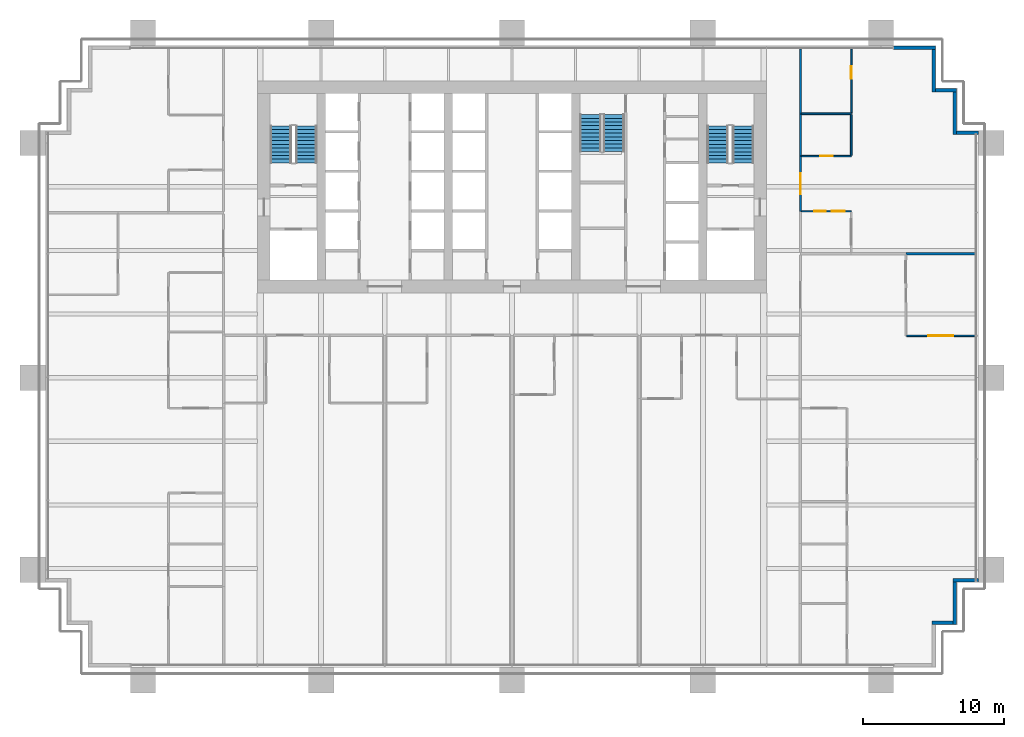
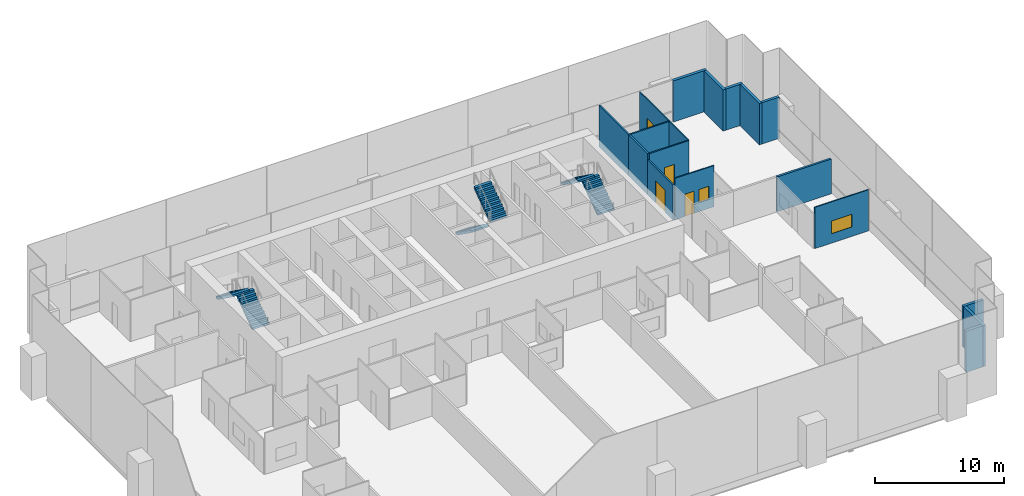
# One storey, part 15 of 18: 18 walls, 6 stair flights, 4 doors, 2 windows, 6 openings, 3 elements without a shape of their own.
"""IFC4 building model written with IfcOpenShell, lengths in metres."""

from ifc_helpers import new_model, si_unit, direction, frame, frame_2d, origin, place, context, subcontext, project, spatial, polyline, rectangle, outline, extrude, material, layer, layer_set, type_object, element, fill, aggregate, save


model = new_model("IFC4")

# Units and contexts
model_context = context("Model", 3, precision=1e-05, world=origin(), true_north=direction((0.0, 1.0)))
body_context = subcontext(model_context, "Body", "Model", "MODEL_VIEW")
ifc_project = project(units=[si_unit("LENGTHUNIT", "METRE"), si_unit("AREAUNIT", "SQUARE_METRE"), si_unit("VOLUMEUNIT", "CUBIC_METRE"), si_unit("PLANEANGLEUNIT", "RADIAN"), si_unit("MASSUNIT", "GRAM", prefix="KILO")], contexts=[model_context])

# Site, building, storey
site_placement = place(None, origin())
site = spatial("IfcSite", under=ifc_project, at=site_placement, CompositionType="ELEMENT")
building_placement = place(site_placement, origin())
building = spatial("IfcBuilding", under=site, at=building_placement, Name="Rattan Terrace Tower", CompositionType="ELEMENT")
storey_placement = place(building_placement, frame((0.0, 0.0, 32.39990234375)))
storey = spatial("IfcBuildingStorey", under=building, at=storey_placement, Name="L06", CompositionType="ELEMENT", Elevation=32.39990234375)

# Walls
ifc_material_1 = material(Name="Insulated aluminium-clad stud wall", Category="aluminium")
ifc_layer_1 = layer(ifc_material_1, 0.25)
ifc_layer_set_1 = layer_set([ifc_layer_1], Name="Facade Riser Wall 250")
wall_type_1 = type_object("IfcWallType", Name="Facade Riser Wall 250", PredefinedType="SOLIDWALL", material=ifc_layer_set_1)
wall_1_placement = place(storey_placement, frame((29.705078125, -30.830078125, 0.0), z_axis=(0.0, 0.0, 1.0), x_axis=(1.0, 0.0, 0.0)))
element("IfcWall", 1, at=wall_1_placement, inside=storey, type_object=wall_type_1, Name="Riser wall L06-3", PredefinedType="SOLIDWALL", context=body_context, shape_type="SweptSolid", body=[
    extrude(rectangle(XDim=1.5, YDim=0.25, at=frame_2d((0.75, 0.0))), origin(), (0.0, 0.0, 1.0), 3.900146484375),
])
wall_2_placement = place(storey_placement, frame((31.330078125, -30.955078125, 0.0), z_axis=(0.0, 0.0, 1.0), x_axis=(0.0, 1.0, 0.0)))
element("IfcWall", 2, at=wall_2_placement, inside=storey, type_object=wall_type_1, Name="Riser wall L06-4", PredefinedType="SOLIDWALL", context=body_context, shape_type="SweptSolid", body=[
    extrude(rectangle(XDim=3.0, YDim=0.25, at=frame_2d((1.5, 0.0))), origin(), (0.0, 0.0, 1.0), 3.900146484375),
])
wall_3_placement = place(storey_placement, frame((31.205078125, -27.830078125, 0.0), z_axis=(0.0, 0.0, 1.0), x_axis=(1.0, 0.0, 0.0)))
element("IfcWall", 3, at=wall_3_placement, inside=storey, type_object=wall_type_1, Name="Riser wall L06-5", PredefinedType="SOLIDWALL", context=body_context, shape_type="SweptSolid", body=[
    extrude(rectangle(XDim=1.7998046875, YDim=0.25, at=frame_2d((0.89990234375, 0.0))), origin(), (0.0, 0.0, 1.0), 3.900146484375),
])
wall_4_placement = place(storey_placement, frame((33.0048828125, 3.830078125, 0.0), z_axis=(0.0, 0.0, 1.0), x_axis=(-1.0, 0.0, 0.0)))
element("IfcWall", 4, at=wall_4_placement, inside=storey, type_object=wall_type_1, Name="Riser wall L06-6", PredefinedType="SOLIDWALL", context=body_context, shape_type="SweptSolid", body=[
    extrude(rectangle(XDim=1.5498046875, YDim=0.25, at=frame_2d((0.77490234375, 0.0))), origin(), (0.0, 0.0, 1.0), 3.900146484375),
])
wall_5_placement = place(storey_placement, frame((31.330078125, 3.705078125, 0.0), z_axis=(0.0, 0.0, 1.0), x_axis=(0.0, 1.0, 0.0)))
element("IfcWall", 5, at=wall_5_placement, inside=storey, type_object=wall_type_1, Name="Riser wall L06-7", PredefinedType="SOLIDWALL", context=body_context, shape_type="SweptSolid", body=[
    extrude(rectangle(XDim=3.0, YDim=0.25, at=frame_2d((1.5, 0.0))), origin(), (0.0, 0.0, 1.0), 3.900146484375),
])
wall_6_placement = place(storey_placement, frame((31.455078125, 6.830078125, 0.0), z_axis=(0.0, 0.0, 1.0), x_axis=(-1.0, 0.0, 0.0)))
element("IfcWall", 6, at=wall_6_placement, inside=storey, type_object=wall_type_1, Name="Riser wall L06-8", PredefinedType="SOLIDWALL", context=body_context, shape_type="SweptSolid", body=[
    extrude(rectangle(XDim=1.5, YDim=0.25, at=frame_2d((0.75, 0.0))), origin(), (0.0, 0.0, 1.0), 3.900146484375),
])
wall_7_placement = place(storey_placement, frame((29.830078125, 6.705078125, 0.0), z_axis=(0.0, 0.0, 1.0), x_axis=(0.0, 1.0, 0.0)))
element("IfcWall", 7, at=wall_7_placement, inside=storey, type_object=wall_type_1, Name="Riser wall L06-9", PredefinedType="SOLIDWALL", context=body_context, shape_type="SweptSolid", body=[
    extrude(rectangle(XDim=3.0, YDim=0.25, at=frame_2d((1.5, 0.0))), origin(), (0.0, 0.0, 1.0), 3.900146484375),
])
wall_8_placement = place(storey_placement, frame((29.955078125, 9.830078125, 0.0), z_axis=(0.0, 0.0, 1.0), x_axis=(-1.0, 0.0, 0.0)))
element("IfcWall", 8, at=wall_8_placement, inside=storey, type_object=wall_type_1, Name="Riser wall L06-10", PredefinedType="SOLIDWALL", context=body_context, shape_type="SweptSolid", body=[
    extrude(rectangle(XDim=2.955078125, YDim=0.25, at=frame_2d((1.4775390625, 0.0))), origin(), (0.0, 0.0, 1.0), 3.900146484375),
])
ifc_material_2 = material(Name="Double steel stud acoustic partition, gypsum board, mineral wool, fire rated", Category="steel")
ifc_layer_2 = layer(ifc_material_2, 0.179931640625)
ifc_layer_set_2 = layer_set([ifc_layer_2], Name="Floors Acoustic Party Wall 180")
wall_type_2 = type_object("IfcWallType", Name="Floors Acoustic Party Wall 180", PredefinedType="PARTITIONING", material=ifc_layer_set_2)
wall_9_placement = place(storey_placement, frame((27.860107421875, -4.72705078125, 0.0), z_axis=(0.0, 0.0, 1.0), x_axis=(1.0, 0.0, 0.0)))
element("IfcWall", 9, at=wall_9_placement, inside=storey, type_object=wall_type_2, Name="pt-L06-081", PredefinedType="PARTITIONING", context=body_context, shape_type="SweptSolid", body=[
    extrude(rectangle(XDim=4.8798828125, YDim=0.179931640625, at=frame_2d((2.43994140625, 0.0))), origin(), (0.0, 0.0, 1.0), 3.300048828125),
])

# Wall, opening, window
ifc_material_3 = material(Name="Gypsum board partition on steel studs", Category="steel")
ifc_layer_3 = layer(ifc_material_3, 0.10009765625)
ifc_layer_set_3 = layer_set([ifc_layer_3], Name="Floors Partition 100")
wall_type_3 = type_object("IfcWallType", Name="Floors Partition 100", PredefinedType="PARTITIONING", material=ifc_layer_set_3)
wall_10_placement = place(storey_placement, frame((27.909912109375, -10.544921875, 0.0), z_axis=(0.0, 0.0, 1.0), x_axis=(1.0, 0.0, 0.0)))
wall_10 = element("IfcWall", 10, at=wall_10_placement, inside=storey, type_object=wall_type_3, Name="pt-L06-073", PredefinedType="PARTITIONING", context=body_context, shape_type="SweptSolid", body=[
    extrude(rectangle(XDim=4.830078125, YDim=0.10009765625, at=frame_2d((2.4150390625, 0.0))), origin(), (0.0, 0.0, 1.0), 3.900146484375),
])
opening_1_placement = place(wall_10_placement, frame((1.514892578125, 0.0, 0.89990234375)))
opening_1 = element("IfcOpeningElement", 11, at=opening_1_placement, cuts=wall_10, Name="Opening L06-W107", PredefinedType="OPENING", context=body_context, shape_type="SweptSolid", body=[
    extrude(rectangle(XDim=1.800048828125, YDim=1.199951171875, at=frame_2d((0.89990234375, 0.60009765625))), frame((0.0, 0.060546875, 0.0), z_axis=(0.0, -1.0, 0.0), x_axis=(1.0, 0.0, 0.0)), (0.0, 0.0, 1.0), 0.12109375),
])
ifc_material_4 = material(Name="Glass, clear, fixed in aluminium frame", Category="aluminium")
window_type_1 = type_object("IfcWindowType", Name="Interior Vision Window 1800x1200", PartitioningType="SINGLE_PANEL", PredefinedType="WINDOW", material=ifc_material_4)
window_1_placement = place(opening_1_placement, origin())
window_1 = element("IfcWindow", 12, at=window_1_placement, inside=storey, type_object=window_type_1, Name="w-L06-107", OverallHeight=1.199951171875, OverallWidth=1.800048828125, PartitioningType="SINGLE_PANEL", PredefinedType="WINDOW", context=body_context, shape_type="SweptSolid", body=[
    extrude(rectangle(XDim=1.800048828125, YDim=1.199951171875, at=frame_2d((0.89990234375, 0.60009765625))), frame((0.0, 0.030029296875, 0.0), z_axis=(0.0, -1.0, 0.0), x_axis=(1.0, 0.0, 0.0)), (0.0, 0.0, 1.0), 0.06005859375),
])
fill(opening_1, window_1)

# Wall, openings, door, window
wall_11_placement = place(storey_placement, frame((24.0, -1.72705078125, 0.0), z_axis=(0.0, 0.0, 1.0), x_axis=(-1.0, 0.0, 0.0)))
wall_11 = element("IfcWall", 13, at=wall_11_placement, inside=storey, type_object=wall_type_3, Name="pt-L06-085", PredefinedType="PARTITIONING", context=body_context, shape_type="SweptSolid", body=[
    extrude(rectangle(XDim=3.52490234375, YDim=0.10009765625, at=frame_2d((1.762451171875, 0.0))), origin(), (0.0, 0.0, 1.0), 3.900146484375),
])
opening_2_placement = place(wall_11_placement, frame((1.806884765625, 0.0, 0.0)))
opening_2 = element("IfcOpeningElement", 14, at=opening_2_placement, cuts=wall_11, Name="Opening L06-D127", PredefinedType="OPENING", context=body_context, shape_type="SweptSolid", body=[
    extrude(rectangle(XDim=0.800048828125, YDim=2.10009765625, at=frame_2d((0.39990234375, 1.050048828125))), frame((0.0, 0.060546875, 0.0), z_axis=(0.0, -1.0, 0.0), x_axis=(1.0, 0.0, 0.0)), (0.0, 0.0, 1.0), 0.12109375),
])
opening_3_placement = place(wall_11_placement, frame((0.47900390625, 0.0, 0.89990234375)))
opening_3 = element("IfcOpeningElement", 15, at=opening_3_placement, cuts=wall_11, Name="Opening L06-W110", PredefinedType="OPENING", context=body_context, shape_type="SweptSolid", body=[
    extrude(rectangle(XDim=0.89990234375, YDim=1.199951171875, at=frame_2d((0.449951171875, 0.60009765625))), frame((0.0, 0.060546875, 0.0), z_axis=(0.0, -1.0, 0.0), x_axis=(1.0, 0.0, 0.0)), (0.0, 0.0, 1.0), 0.12109375),
])
ifc_material_5 = material(Name="Solid core timber door, painted", Category="wood")
door_type_1 = type_object("IfcDoorType", Name="Floors Store Door 800x2100", OperationType="NOTDEFINED", PredefinedType="DOOR", material=ifc_material_5)
door_1_placement = place(opening_2_placement, origin())
door_1 = element("IfcDoor", 16, at=door_1_placement, inside=storey, type_object=door_type_1, Name="d-L06-127", OperationType="SINGLE_SWING_RIGHT", OverallHeight=2.10009765625, OverallWidth=0.800048828125, PredefinedType="DOOR", context=body_context, shape_type="SweptSolid", body=[
    extrude(rectangle(XDim=0.800048828125, YDim=2.10009765625, at=frame_2d((0.39990234375, 1.050048828125))), frame((0.0, 0.02490234375, 0.0), z_axis=(0.0, -1.0, 0.0), x_axis=(1.0, 0.0, 0.0)), (0.0, 0.0, 1.0), 0.050048828125),
])
fill(opening_2, door_1)
ifc_material_6 = material(Name="Glass, clear, fixed in aluminium frame", Category="aluminium")
window_type_2 = type_object("IfcWindowType", Name="Interior Vision Window 900x1200", PartitioningType="SINGLE_PANEL", PredefinedType="WINDOW", material=ifc_material_6)
window_2_placement = place(opening_3_placement, origin())
window_2 = element("IfcWindow", 17, at=window_2_placement, inside=storey, type_object=window_type_2, Name="w-L06-110", OverallHeight=1.199951171875, OverallWidth=0.89990234375, PartitioningType="SINGLE_PANEL", PredefinedType="WINDOW", context=body_context, shape_type="SweptSolid", body=[
    extrude(rectangle(XDim=0.89990234375, YDim=1.199951171875, at=frame_2d((0.449951171875, 0.60009765625))), frame((0.0, 0.030029296875, 0.0), z_axis=(0.0, -1.0, 0.0), x_axis=(1.0, 0.0, 0.0)), (0.0, 0.0, 1.0), 0.06005859375),
])
fill(opening_3, window_2)

# Wall, opening, door
wall_12_placement = place(storey_placement, frame((24.0, 5.193115234375, 0.0), z_axis=(0.0, 0.0, 1.0), x_axis=(0.0, 1.0, 0.0)))
wall_12 = element("IfcWall", 18, at=wall_12_placement, inside=storey, type_object=wall_type_3, Name="pt-L06-089", PredefinedType="PARTITIONING", context=body_context, shape_type="SweptSolid", body=[
    extrude(rectangle(XDim=4.546875, YDim=0.10009765625, at=frame_2d((2.2734375, 0.0))), origin(), (0.0, 0.0, 1.0), 3.900146484375),
])
opening_4_placement = place(wall_12_placement, frame((2.452880859375, 0.0, 0.0)))
opening_4 = element("IfcOpeningElement", 19, at=opening_4_placement, cuts=wall_12, Name="Opening L06-D129", PredefinedType="OPENING", context=body_context, shape_type="SweptSolid", body=[
    extrude(rectangle(XDim=0.89990234375, YDim=2.10009765625, at=frame_2d((0.449951171875, 1.050048828125))), frame((0.0, 0.060546875, 0.0), z_axis=(0.0, -1.0, 0.0), x_axis=(1.0, 0.0, 0.0)), (0.0, 0.0, 1.0), 0.12109375),
])
ifc_material_7 = material(Name="Solid core timber door, painted", Category="wood")
door_type_2 = type_object("IfcDoorType", Name="Floors Door 900x2100", OperationType="NOTDEFINED", PredefinedType="DOOR", material=ifc_material_7)
door_2_placement = place(opening_4_placement, origin())
door_2 = element("IfcDoor", 20, at=door_2_placement, inside=storey, type_object=door_type_2, Name="d-L06-129", OperationType="SINGLE_SWING_RIGHT", OverallHeight=2.10009765625, OverallWidth=0.89990234375, PredefinedType="DOOR", context=body_context, shape_type="SweptSolid", body=[
    extrude(rectangle(XDim=0.89990234375, YDim=2.10009765625, at=frame_2d((0.449951171875, 1.050048828125))), frame((0.0, 0.02490234375, 0.0), z_axis=(0.0, -1.0, 0.0), x_axis=(1.0, 0.0, 0.0)), (0.0, 0.0, 1.0), 0.050048828125),
])
fill(opening_4, door_2)

ifc_material_8 = material(Name="Gypsum board partition on steel studs, fire rated", Category="steel")
ifc_layer_4 = layer(ifc_material_8, 0.14990234375)
ifc_layer_set_4 = layer_set([ifc_layer_4], Name="Floors Tenancy Wall 150")
wall_type_4 = type_object("IfcWallType", Name="Floors Tenancy Wall 150", PredefinedType="PARTITIONING", material=ifc_layer_set_4)
wall_13_placement = place(storey_placement, frame((20.39990234375, 2.193115234375, 0.0), z_axis=(0.0, 0.0, 1.0), x_axis=(0.0, -1.0, 0.0)))
wall_13 = element("IfcWall", 21, at=wall_13_placement, inside=storey, type_object=wall_type_4, Name="pt-L06-018", PredefinedType="PARTITIONING", context=body_context, shape_type="SweptSolid", body=[
    extrude(rectangle(XDim=3.940185546875, YDim=0.14990234375, at=frame_2d((1.97021484375, 0.0))), origin(), (0.0, 0.0, 1.0), 3.300048828125),
])
opening_5_placement = place(wall_13_placement, frame((1.219970703125, 0.0, 0.0)))
opening_5 = element("IfcOpeningElement", 22, at=opening_5_placement, cuts=wall_13, Name="Opening L06-D126", PredefinedType="OPENING", context=body_context, shape_type="SweptSolid", body=[
    extrude(rectangle(XDim=1.5, YDim=2.10009765625, at=frame_2d((0.75, 1.050048828125))), frame((0.0, 0.08544921875, 0.0), z_axis=(0.0, -1.0, 0.0), x_axis=(1.0, 0.0, 0.0)), (0.0, 0.0, 1.0), 0.1708984375),
])
ifc_material_9 = material(Name="Steel fire door set", Category="steel")
door_type_3 = type_object("IfcDoorType", Name="Floors Unit Door Pair FD30S 1500x2100", OperationType="NOTDEFINED", PredefinedType="DOOR", material=ifc_material_9)
door_3_placement = place(opening_5_placement, origin())
door_3 = element("IfcDoor", 23, at=door_3_placement, inside=storey, type_object=door_type_3, Name="d-L06-126", OperationType="DOUBLE_DOOR_SINGLE_SWING", OverallHeight=2.10009765625, OverallWidth=1.5, PredefinedType="DOOR", context=body_context, shape_type="SweptSolid", body=[
    extrude(rectangle(XDim=1.5, YDim=2.10009765625, at=frame_2d((0.75, 1.050048828125))), frame((0.0, 0.02490234375, 0.0), z_axis=(0.0, -1.0, 0.0), x_axis=(1.0, 0.0, 0.0)), (0.0, 0.0, 1.0), 0.050048828125),
])
fill(opening_5, door_3)

# Walls
wall_14_placement = place(storey_placement, frame((20.39990234375, 5.153076171875, 0.0), z_axis=(0.0, 0.0, 1.0), x_axis=(0.0, -1.0, 0.0)))
element("IfcWall", 24, at=wall_14_placement, inside=storey, type_object=wall_type_4, Name="pt-L06-020", PredefinedType="PARTITIONING", context=body_context, shape_type="SweptSolid", body=[
    extrude(rectangle(XDim=2.9599609375, YDim=0.14990234375, at=frame_2d((1.47998046875, 0.0))), origin(), (0.0, 0.0, 1.0), 3.900146484375),
])
wall_15_placement = place(storey_placement, frame((20.39990234375, 9.739990234375, 0.0), z_axis=(0.0, 0.0, 1.0), x_axis=(0.0, -1.0, 0.0)))
element("IfcWall", 25, at=wall_15_placement, inside=storey, type_object=wall_type_4, Name="pt-L06-021", PredefinedType="PARTITIONING", context=body_context, shape_type="SweptSolid", body=[
    extrude(rectangle(XDim=4.5869140625, YDim=0.14990234375, at=frame_2d((2.29345703125, 0.0))), origin(), (0.0, 0.0, 1.0), 3.900146484375),
])

# Wall, opening, door
ifc_material_10 = material(Name="Moisture resistant gypsum board partition on steel studs with service cavity", Category="steel")
ifc_layer_5 = layer(ifc_material_10, 0.1201171875)
ifc_layer_set_5 = layer_set([ifc_layer_5], Name="Floors Wet Wall 120")
wall_type_5 = type_object("IfcWallType", Name="Floors Wet Wall 120", PredefinedType="PARTITIONING", material=ifc_layer_set_5)
wall_16_placement = place(storey_placement, frame((20.47509765625, 2.173095703125, 0.0), z_axis=(0.0, 0.0, 1.0), x_axis=(1.0, 0.0, 0.0)))
wall_16 = element("IfcWall", 26, at=wall_16_placement, inside=storey, type_object=wall_type_5, Name="pt-L06-087", PredefinedType="PARTITIONING", context=body_context, shape_type="SweptSolid", body=[
    extrude(rectangle(XDim=3.52490234375, YDim=0.1201171875, at=frame_2d((1.762451171875, 0.0))), origin(), (0.0, 0.0, 1.0), 3.900146484375),
])
opening_6_placement = place(wall_16_placement, frame((1.31201171875, 0.0, 0.0)))
opening_6 = element("IfcOpeningElement", 27, at=opening_6_placement, cuts=wall_16, Name="Opening L06-D128", PredefinedType="OPENING", context=body_context, shape_type="SweptSolid", body=[
    extrude(rectangle(XDim=0.89990234375, YDim=2.10009765625, at=frame_2d((0.449951171875, 1.050048828125))), frame((0.0, 0.070556640625, 0.0), z_axis=(0.0, -1.0, 0.0), x_axis=(1.0, 0.0, 0.0)), (0.0, 0.0, 1.0), 0.14111328125),
])
door_4_placement = place(opening_6_placement, origin())
door_4 = element("IfcDoor", 28, at=door_4_placement, inside=storey, type_object=door_type_2, Name="d-L06-128", OperationType="SINGLE_SWING_LEFT", OverallHeight=2.10009765625, OverallWidth=0.89990234375, PredefinedType="DOOR", context=body_context, shape_type="SweptSolid", body=[
    extrude(rectangle(XDim=0.89990234375, YDim=2.10009765625, at=frame_2d((0.449951171875, 1.050048828125))), frame((0.0, 0.02490234375, 0.0), z_axis=(0.0, -1.0, 0.0), x_axis=(1.0, 0.0, 0.0)), (0.0, 0.0, 1.0), 0.050048828125),
])
fill(opening_6, door_4)

# Walls
wall_17_placement = place(storey_placement, frame((24.0009765625, 2.23291015625, 0.0), z_axis=(0.0, 0.0, 1.0), x_axis=(0.0, 1.0, 0.0)))
element("IfcWall", 29, at=wall_17_placement, inside=storey, type_object=wall_type_5, Name="pt-L06-088", PredefinedType="PARTITIONING", context=body_context, shape_type="SweptSolid", body=[
    extrude(rectangle(XDim=2.880126953125, YDim=0.1201171875, at=frame_2d((1.43994140625, 0.0))), origin(), (0.0, 0.0, 1.0), 3.900146484375),
])
wall_18_placement = place(storey_placement, frame((20.47509765625, 5.173095703125, 0.0), z_axis=(0.0, 0.0, 1.0), x_axis=(1.0, 0.0, 0.0)))
element("IfcWall", 30, at=wall_18_placement, inside=storey, type_object=wall_type_5, Name="pt-L06-090", PredefinedType="PARTITIONING", context=body_context, shape_type="SweptSolid", body=[
    extrude(rectangle(XDim=3.52490234375, YDim=0.1201171875, at=frame_2d((1.762451171875, 0.0))), origin(), (0.0, 0.0, 1.0), 3.900146484375),
])

# Stair, stair flights
ifc_material_11 = material(Name="Concrete C40/50", Category="concrete")
stair_type = type_object("IfcStairType", Name="Core exit stair 1500", PredefinedType="HALF_TURN_STAIR", material=ifc_material_11)
stair_1_placement = place(storey_placement, origin())
stair_1 = element("IfcStair", 31, at=stair_1_placement, inside=storey, type_object=stair_type, Name="L06 exit stair 1", PredefinedType="HALF_TURN_STAIR")
ifc_material_12 = material(Name="Concrete C40/50", Category="concrete")
stair_flight_type = type_object("IfcStairFlightType", Name="Core exit stair flight 1500", PredefinedType="STRAIGHT", material=ifc_material_12)
stair_flight_1_placement = place(storey_placement, frame((-14.550048828125, 1.699951171875, 0.0), z_axis=(0.0, 0.0, 1.0), x_axis=(0.0, 1.0, 0.0)))
stair_flight_1 = element("IfcStairFlight", 32, at=stair_flight_1_placement, type_object=stair_flight_type, Name="S1 flight 1", NumberOfRisers=11, NumberOfTreads=10, PredefinedType="STRAIGHT", RiserHeight=0.186363636, TreadLength=0.26, context=body_context, shape_type="SweptSolid", body=[
    extrude(outline(polyline([(0.0, 0.0), (0.0, 0.186279296875), (0.260009765625, 0.186279296875), (0.260009765625, 0.372802734375), (0.52001953125, 0.372802734375), (0.52001953125, 0.55908203125), (0.780029296875, 0.55908203125), (0.780029296875, 0.745361328125), (1.0400390625, 0.745361328125), (1.0400390625, 0.931884765625), (1.300048828125, 0.931884765625), (1.300048828125, 1.1181640625), (1.56005859375, 1.1181640625), (1.56005859375, 1.304443359375), (1.820068359375, 1.304443359375), (1.820068359375, 1.490966796875), (2.080078125, 1.490966796875), (2.080078125, 1.67724609375), (2.340087890625, 1.67724609375), (2.340087890625, 1.863525390625), (2.60009765625, 1.863525390625), (2.60009765625, 2.050048828125), (2.60009765625, 1.67919921875), (0.25732421875, 0.0), (0.0, 0.0)])), frame((0.0, 0.75, 0.0), z_axis=(0.0, -1.0, 0.0), x_axis=(1.0, 0.0, 0.0)), (0.0, 0.0, 1.0), 1.5),
])
stair_flight_2_placement = place(storey_placement, frame((-16.35009765625, 4.300048828125, 2.050048828125), z_axis=(0.0, 0.0, 1.0), x_axis=(0.0, -1.0, 0.0)))
stair_flight_2 = element("IfcStairFlight", 33, at=stair_flight_2_placement, type_object=stair_flight_type, Name="S1 flight 2", NumberOfRisers=11, NumberOfTreads=10, PredefinedType="STRAIGHT", RiserHeight=0.186363636, TreadLength=0.26, context=body_context, shape_type="SweptSolid", body=[
    extrude(outline(polyline([(0.0, 0.0), (0.0, 0.186279296875), (0.260009765625, 0.186279296875), (0.260009765625, 0.372802734375), (0.52001953125, 0.372802734375), (0.52001953125, 0.55908203125), (0.780029296875, 0.55908203125), (0.780029296875, 0.745361328125), (1.0400390625, 0.745361328125), (1.0400390625, 0.931884765625), (1.300048828125, 0.931884765625), (1.300048828125, 1.1181640625), (1.56005859375, 1.1181640625), (1.56005859375, 1.304443359375), (1.820068359375, 1.304443359375), (1.820068359375, 1.490966796875), (2.080078125, 1.490966796875), (2.080078125, 1.67724609375), (2.340087890625, 1.67724609375), (2.340087890625, 1.863525390625), (2.60009765625, 1.863525390625), (2.60009765625, 2.050048828125), (2.60009765625, 1.67919921875), (0.25732421875, 0.0), (0.0, 0.0)])), frame((0.0, 0.75, 0.0), z_axis=(0.0, -1.0, 0.0), x_axis=(1.0, 0.0, 0.0)), (0.0, 0.0, 1.0), 1.5),
])
aggregate(stair_1, [stair_flight_1, stair_flight_2])

stair_2_placement = place(storey_placement, origin())
stair_2 = element("IfcStair", 34, at=stair_2_placement, inside=storey, type_object=stair_type, Name="L06 exit stair 2", PredefinedType="HALF_TURN_STAIR")
stair_flight_3_placement = place(storey_placement, frame((16.35009765625, 1.699951171875, 0.0), z_axis=(0.0, 0.0, 1.0), x_axis=(0.0, 1.0, 0.0)))
stair_flight_3 = element("IfcStairFlight", 35, at=stair_flight_3_placement, type_object=stair_flight_type, Name="S2 flight 1", NumberOfRisers=11, NumberOfTreads=10, PredefinedType="STRAIGHT", RiserHeight=0.186363636, TreadLength=0.26, context=body_context, shape_type="SweptSolid", body=[
    extrude(outline(polyline([(0.0, 0.0), (0.0, 0.186279296875), (0.260009765625, 0.186279296875), (0.260009765625, 0.372802734375), (0.52001953125, 0.372802734375), (0.52001953125, 0.55908203125), (0.780029296875, 0.55908203125), (0.780029296875, 0.745361328125), (1.0400390625, 0.745361328125), (1.0400390625, 0.931884765625), (1.300048828125, 0.931884765625), (1.300048828125, 1.1181640625), (1.56005859375, 1.1181640625), (1.56005859375, 1.304443359375), (1.820068359375, 1.304443359375), (1.820068359375, 1.490966796875), (2.080078125, 1.490966796875), (2.080078125, 1.67724609375), (2.340087890625, 1.67724609375), (2.340087890625, 1.863525390625), (2.60009765625, 1.863525390625), (2.60009765625, 2.050048828125), (2.60009765625, 1.67919921875), (0.25732421875, 0.0), (0.0, 0.0)])), frame((0.0, 0.75, 0.0), z_axis=(0.0, -1.0, 0.0), x_axis=(1.0, 0.0, 0.0)), (0.0, 0.0, 1.0), 1.5),
])
stair_flight_4_placement = place(storey_placement, frame((14.550048828125, 4.300048828125, 2.050048828125), z_axis=(0.0, 0.0, 1.0), x_axis=(0.0, -1.0, 0.0)))
stair_flight_4 = element("IfcStairFlight", 36, at=stair_flight_4_placement, type_object=stair_flight_type, Name="S2 flight 2", NumberOfRisers=11, NumberOfTreads=10, PredefinedType="STRAIGHT", RiserHeight=0.186363636, TreadLength=0.26, context=body_context, shape_type="SweptSolid", body=[
    extrude(outline(polyline([(0.0, 0.0), (0.0, 0.186279296875), (0.260009765625, 0.186279296875), (0.260009765625, 0.372802734375), (0.52001953125, 0.372802734375), (0.52001953125, 0.55908203125), (0.780029296875, 0.55908203125), (0.780029296875, 0.745361328125), (1.0400390625, 0.745361328125), (1.0400390625, 0.931884765625), (1.300048828125, 0.931884765625), (1.300048828125, 1.1181640625), (1.56005859375, 1.1181640625), (1.56005859375, 1.304443359375), (1.820068359375, 1.304443359375), (1.820068359375, 1.490966796875), (2.080078125, 1.490966796875), (2.080078125, 1.67724609375), (2.340087890625, 1.67724609375), (2.340087890625, 1.863525390625), (2.60009765625, 1.863525390625), (2.60009765625, 2.050048828125), (2.60009765625, 1.67919921875), (0.25732421875, 0.0), (0.0, 0.0)])), frame((0.0, 0.75, 0.0), z_axis=(0.0, -1.0, 0.0), x_axis=(1.0, 0.0, 0.0)), (0.0, 0.0, 1.0), 1.5),
])
aggregate(stair_2, [stair_flight_3, stair_flight_4])

stair_3_placement = place(storey_placement, origin())
stair_3 = element("IfcStair", 37, at=stair_3_placement, inside=storey, type_object=stair_type, Name="L06 exit stair 3", PredefinedType="HALF_TURN_STAIR")
stair_flight_5_placement = place(storey_placement, frame((5.550048828125, 5.10009765625, 0.0), z_axis=(0.0, 0.0, 1.0), x_axis=(0.0, -1.0, 0.0)))
stair_flight_5 = element("IfcStairFlight", 38, at=stair_flight_5_placement, type_object=stair_flight_type, Name="S3 flight 1", NumberOfRisers=11, NumberOfTreads=10, PredefinedType="STRAIGHT", RiserHeight=0.186363636, TreadLength=0.26, context=body_context, shape_type="SweptSolid", body=[
    extrude(outline(polyline([(0.0, 0.0), (0.0, 0.186279296875), (0.260009765625, 0.186279296875), (0.260009765625, 0.372802734375), (0.52001953125, 0.372802734375), (0.52001953125, 0.55908203125), (0.780029296875, 0.55908203125), (0.780029296875, 0.745361328125), (1.0400390625, 0.745361328125), (1.0400390625, 0.931884765625), (1.300048828125, 0.931884765625), (1.300048828125, 1.1181640625), (1.56005859375, 1.1181640625), (1.56005859375, 1.304443359375), (1.820068359375, 1.304443359375), (1.820068359375, 1.490966796875), (2.080078125, 1.490966796875), (2.080078125, 1.67724609375), (2.340087890625, 1.67724609375), (2.340087890625, 1.863525390625), (2.60009765625, 1.863525390625), (2.60009765625, 2.050048828125), (2.60009765625, 1.67919921875), (0.25732421875, 0.0), (0.0, 0.0)])), frame((0.0, 0.75, 0.0), z_axis=(0.0, -1.0, 0.0), x_axis=(1.0, 0.0, 0.0)), (0.0, 0.0, 1.0), 1.5),
])
stair_flight_6_placement = place(storey_placement, frame((7.199951171875, 2.5, 2.050048828125), z_axis=(0.0, 0.0, 1.0), x_axis=(0.0, 1.0, 0.0)))
stair_flight_6 = element("IfcStairFlight", 39, at=stair_flight_6_placement, type_object=stair_flight_type, Name="S3 flight 2", NumberOfRisers=11, NumberOfTreads=10, PredefinedType="STRAIGHT", RiserHeight=0.186363636, TreadLength=0.26, context=body_context, shape_type="SweptSolid", body=[
    extrude(outline(polyline([(0.0, 0.0), (0.0, 0.186279296875), (0.260009765625, 0.186279296875), (0.260009765625, 0.372802734375), (0.52001953125, 0.372802734375), (0.52001953125, 0.55908203125), (0.780029296875, 0.55908203125), (0.780029296875, 0.745361328125), (1.0400390625, 0.745361328125), (1.0400390625, 0.931884765625), (1.300048828125, 0.931884765625), (1.300048828125, 1.1181640625), (1.56005859375, 1.1181640625), (1.56005859375, 1.304443359375), (1.820068359375, 1.304443359375), (1.820068359375, 1.490966796875), (2.080078125, 1.490966796875), (2.080078125, 1.67724609375), (2.340087890625, 1.67724609375), (2.340087890625, 1.863525390625), (2.60009765625, 1.863525390625), (2.60009765625, 2.050048828125), (2.60009765625, 1.67919921875), (0.25732421875, 0.0), (0.0, 0.0)])), frame((0.0, 0.75, 0.0), z_axis=(0.0, -1.0, 0.0), x_axis=(1.0, 0.0, 0.0)), (0.0, 0.0, 1.0), 1.5),
])
aggregate(stair_3, [stair_flight_5, stair_flight_6])

save(model, "model.ifc")
